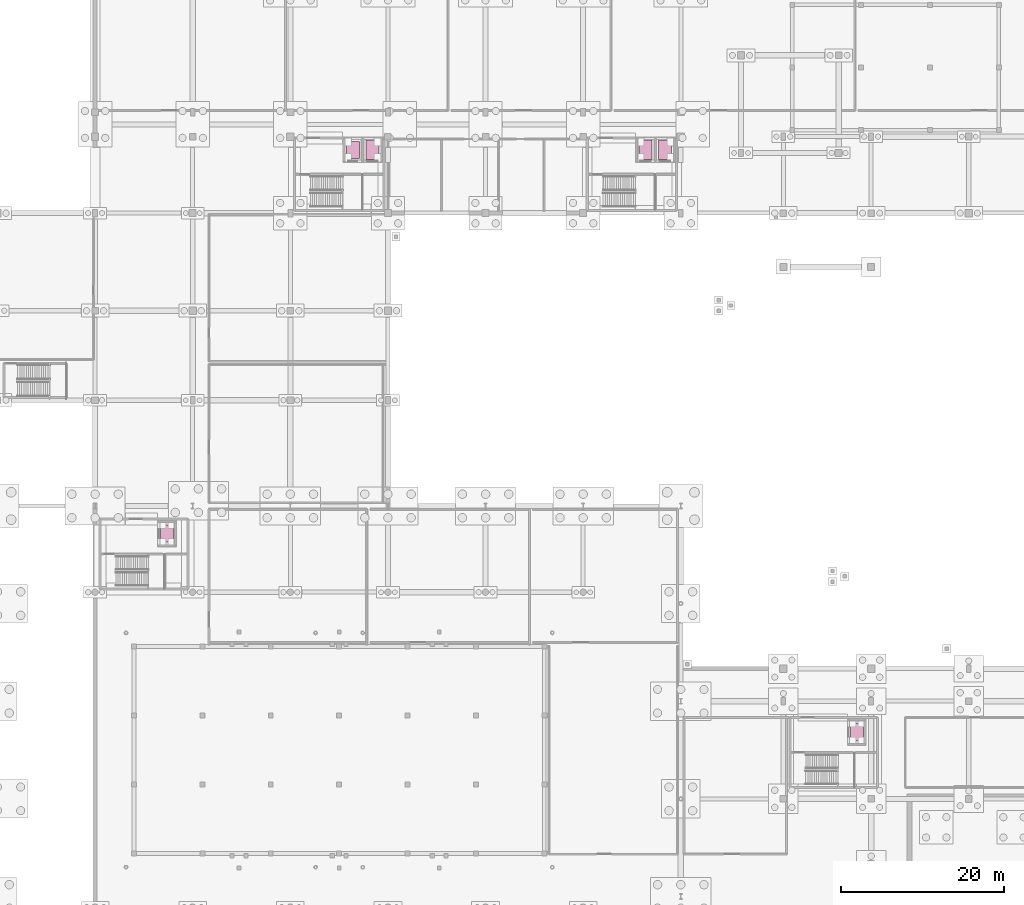
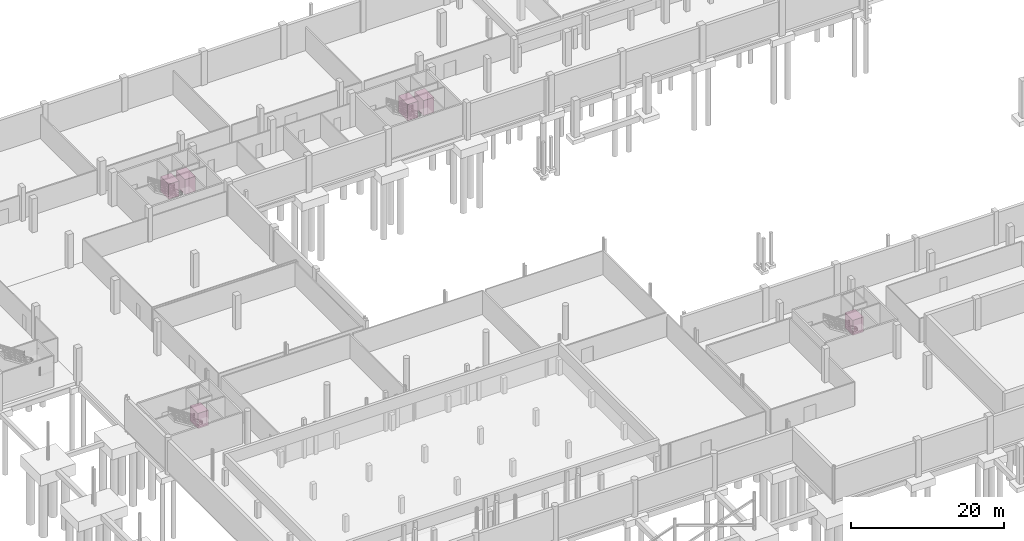
# One storey, part 42 of 42: 6 transport elements.
"""IFC4 building model written with IfcOpenShell, lengths in metres."""

from ifc_helpers import new_model, si_unit, direction, frame, origin, origin_2d, place, context, subcontext, project, spatial, rectangle, extrude, material, type_object, element, save


model = new_model("IFC4")

# Units and contexts
model_context = context("Model", 3, precision=1e-05, world=origin(), true_north=direction((0.0, 1.0)))
body_context = subcontext(model_context, "Body", "Model", "MODEL_VIEW")
ifc_project = project(units=[si_unit("LENGTHUNIT", "METRE"), si_unit("AREAUNIT", "SQUARE_METRE"), si_unit("VOLUMEUNIT", "CUBIC_METRE"), si_unit("PLANEANGLEUNIT", "RADIAN"), si_unit("MASSUNIT", "GRAM", prefix="KILO"), si_unit("THERMODYNAMICTEMPERATUREUNIT", "KELVIN"), si_unit("POWERUNIT", "WATT")], contexts=[model_context])

# Site, building, storey
site_placement = place(None, origin())
site = spatial("IfcSite", under=ifc_project, at=site_placement, CompositionType="ELEMENT")
building_placement = place(site_placement, origin())
building = spatial("IfcBuilding", under=site, at=building_placement, Name="Solmara Park Aquatics Centre", CompositionType="ELEMENT")
storey_placement = place(building_placement, frame((0.0, 0.0, -5.39990234375)))
storey = spatial("IfcBuildingStorey", under=building, at=storey_placement, Name="B1", CompositionType="ELEMENT", Elevation=-5.39990234375)

# Transport elements
ifc_material_1 = material(Name="Stainless Steel Firefighting Lift Car", Category="steel")
transport_element_type_1 = type_object("IfcTransportElementType", Name="ARC-LFT-FF1600", PredefinedType="ELEVATOR", material=ifc_material_1)
for number, where, z_axis, x_axis, name in (
    (1, (58.675048828125, 116.375, 0.0), (0.0, 0.0, 1.0), (1.0, 0.0, 0.0), "Firefighting and Stretcher Lift LF-01"),
    (2, (94.675048828125, 116.375, 0.0), (0.0, 0.0, 1.0), (1.0, 0.0, 0.0), "Firefighting and Stretcher Lift LF-03"),
):
    element("IfcTransportElement", number, at=place(storey_placement, frame(where, z_axis=z_axis, x_axis=x_axis)), inside=storey, type_object=transport_element_type_1, Name=name, PredefinedType="ELEVATOR", context=body_context, shape_type="SweptSolid", body=[
        extrude(rectangle(XDim=1.60009765625, YDim=2.39990234375, at=origin_2d()), origin(), (0.0, 0.0, 1.0), 2.39990234375),
    ])
ifc_material_2 = material(Name="Heavy-Duty Stainless Steel Goods Lift Car", Category="steel")
transport_element_type_2 = type_object("IfcTransportElementType", Name="ARC-LFT-GDS2500", PredefinedType="ELEVATOR", material=ifc_material_2)
transport_element_placement = place(storey_placement, frame((92.27490234375, 116.375, -0.000244140625), z_axis=(0.0, 0.0, 1.0), x_axis=(1.0, 0.0, 0.0)))
element("IfcTransportElement", 3, at=transport_element_placement, inside=storey, type_object=transport_element_type_2, Name="Goods and Service Lift LF-04", PredefinedType="ELEVATOR", context=body_context, shape_type="SweptSolid", body=[
    extrude(rectangle(XDim=1.60009765625, YDim=2.39990234375, at=origin_2d()), origin(), (0.0, 0.0, 1.0), 2.60009765625),
])
ifc_material_3 = material(Name="Brushed Stainless Steel Accessible Passenger Lift Car", Category="steel")
transport_element_type_3 = type_object("IfcTransportElementType", Name="ARC-LFT-PAX1275", PredefinedType="ELEVATOR", material=ifc_material_3)
for number, where, z_axis, x_axis, name in (
    (4, (56.27490234375, 116.375, 0.0), (0.0, 0.0, 1.0), (1.0, 0.0, 0.0), "Passenger Lift LF-02"),
    (5, (118.25, 44.800048828125, 0.0), (0.0, 0.0, 1.0), (1.0, 0.0, 0.0), "Accessible Passenger Lift LF-05"),
    (6, (33.449951171875, 69.199951171875, 0.0), (0.0, 0.0, 1.0), (1.0, 0.0, 0.0), "Accessible Passenger Lift LF-06"),
):
    element("IfcTransportElement", number, at=place(storey_placement, frame(where, z_axis=z_axis, x_axis=x_axis)), inside=storey, type_object=transport_element_type_3, Name=name, PredefinedType="ELEVATOR", context=body_context, shape_type="SweptSolid", body=[
        extrude(rectangle(XDim=1.60009765625, YDim=2.10009765625, at=origin_2d()), origin(), (0.0, 0.0, 1.0), 2.39990234375),
    ])

save(model, "model.ifc")
